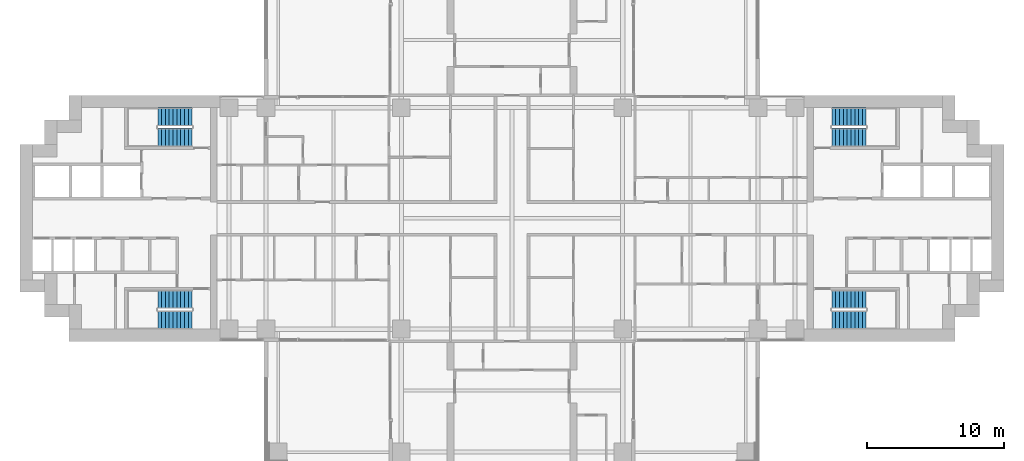
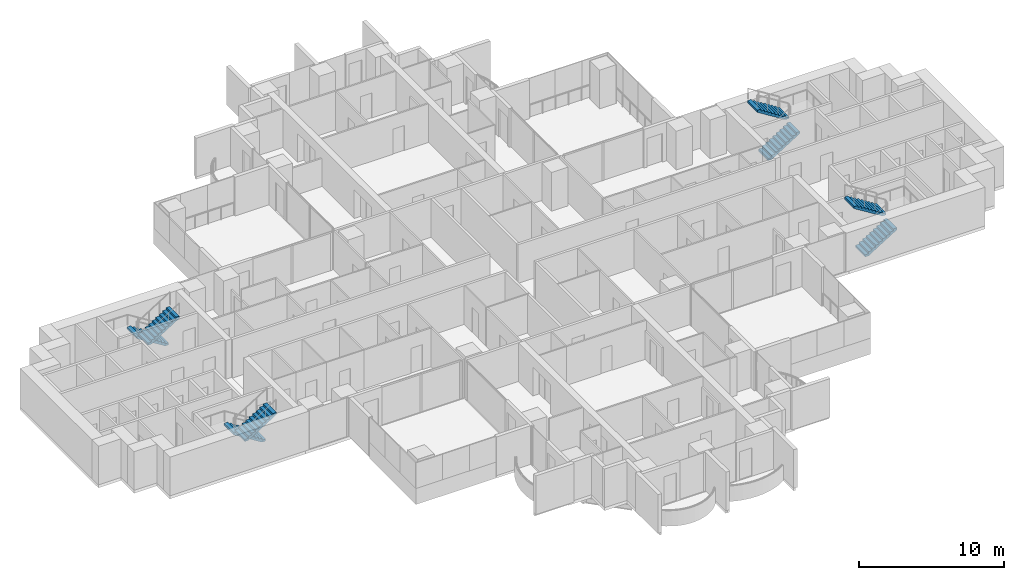
# One storey, part 17 of 21: 8 stair flights, 4 elements without a shape of their own.
"""IFC4 building model written with IfcOpenShell, lengths in metres."""

from ifc_helpers import new_model, si_unit, direction, frame, origin, place, context, subcontext, project, spatial, polyline, outline, extrude, material, type_object, element, aggregate, save


model = new_model("IFC4")

# Units and contexts
model_context = context("Model", 3, precision=1e-05, world=origin(), true_north=direction((0.0, 1.0)))
body_context = subcontext(model_context, "Body", "Model", "MODEL_VIEW")
ifc_project = project(units=[si_unit("LENGTHUNIT", "METRE"), si_unit("AREAUNIT", "SQUARE_METRE"), si_unit("VOLUMEUNIT", "CUBIC_METRE"), si_unit("PLANEANGLEUNIT", "RADIAN"), si_unit("MASSUNIT", "GRAM", prefix="KILO")], contexts=[model_context])

# Site, building, storey
site_placement = place(None, origin())
site = spatial("IfcSite", under=ifc_project, at=site_placement, CompositionType="ELEMENT")
building_placement = place(site_placement, origin())
building = spatial("IfcBuilding", under=site, at=building_placement, Name="Perihelion Cross Residences", CompositionType="ELEMENT")
storey_placement = place(building_placement, frame((0.0, 0.0, 43.5)))
storey = spatial("IfcBuildingStorey", under=building, at=storey_placement, Name="L07", CompositionType="ELEMENT", Elevation=43.5)

# Stair, stair flights
ifc_material_1 = material(Name="Concrete C40/50", Category="concrete")
stair_type = type_object("IfcStairType", Name="Exit stair, half-turn", PredefinedType="HALF_TURN_STAIR", material=ifc_material_1)
stair_1_placement = place(storey_placement, origin())
stair_1 = element("IfcStair", 1, at=stair_1_placement, inside=storey, type_object=stair_type, Name="L07 East core exit stair 1", PredefinedType="HALF_TURN_STAIR")
ifc_material_2 = material(Name="Concrete C40/50", Category="concrete")
stair_flight_type = type_object("IfcStairFlightType", Name="Exit stair flight", PredefinedType="STRAIGHT", material=ifc_material_2)
stair_flight_1_placement = place(storey_placement, frame((23.39990234375, 5.925048828125, 0.0), z_axis=(0.0, 0.0, 1.0), x_axis=(1.0, 0.0, 0.0)))
stair_flight_1 = element("IfcStairFlight", 2, at=stair_flight_1_placement, type_object=stair_flight_type, Name="ST-E1 flight 1", NumberOfRisers=10, NumberOfTreads=9, PredefinedType="STRAIGHT", RiserHeight=0.175, TreadLength=0.28, context=body_context, shape_type="SweptSolid", body=[
    extrude(outline(polyline([(0.0, 0.0), (0.0, 0.175048828125), (0.280029296875, 0.175048828125), (0.280029296875, 0.35009765625), (0.56005859375, 0.35009765625), (0.56005859375, 0.52490234375), (0.840087890625, 0.52490234375), (0.840087890625, 0.699951171875), (1.1201171875, 0.699951171875), (1.1201171875, 0.875), (1.39990234375, 0.875), (1.39990234375, 1.050048828125), (1.679931640625, 1.050048828125), (1.679931640625, 1.22509765625), (1.9599609375, 1.22509765625), (1.9599609375, 1.39990234375), (2.239990234375, 1.39990234375), (2.239990234375, 1.574951171875), (2.52001953125, 1.574951171875), (2.52001953125, 1.75), (2.52001953125, 1.398193359375), (0.28271484375, 0.0), (0.0, 0.0)])), frame((0.0, 0.675048828125, 0.0), z_axis=(0.0, -1.0, 0.0), x_axis=(1.0, 0.0, 0.0)), (0.0, 0.0, 1.0), 1.35009765625),
])
stair_flight_2_placement = place(storey_placement, frame((25.919921875, 7.425048828125, 1.75), z_axis=(0.0, 0.0, 1.0), x_axis=(-1.0, 0.0, 0.0)))
stair_flight_2 = element("IfcStairFlight", 3, at=stair_flight_2_placement, type_object=stair_flight_type, Name="ST-E1 flight 2", NumberOfRisers=10, NumberOfTreads=9, PredefinedType="STRAIGHT", RiserHeight=0.175, TreadLength=0.28, context=body_context, shape_type="SweptSolid", body=[
    extrude(outline(polyline([(0.0, 0.0), (0.0, 0.175048828125), (0.280029296875, 0.175048828125), (0.280029296875, 0.35009765625), (0.56005859375, 0.35009765625), (0.56005859375, 0.52490234375), (0.840087890625, 0.52490234375), (0.840087890625, 0.699951171875), (1.1201171875, 0.699951171875), (1.1201171875, 0.875), (1.39990234375, 0.875), (1.39990234375, 1.050048828125), (1.679931640625, 1.050048828125), (1.679931640625, 1.22509765625), (1.9599609375, 1.22509765625), (1.9599609375, 1.39990234375), (2.239990234375, 1.39990234375), (2.239990234375, 1.574951171875), (2.52001953125, 1.574951171875), (2.52001953125, 1.75), (2.52001953125, 1.398193359375), (0.28271484375, 0.0), (0.0, 0.0)])), frame((0.0, 0.675048828125, 0.0), z_axis=(0.0, -1.0, 0.0), x_axis=(1.0, 0.0, 0.0)), (0.0, 0.0, 1.0), 1.35009765625),
])
aggregate(stair_1, [stair_flight_1, stair_flight_2])

stair_2_placement = place(storey_placement, origin())
stair_2 = element("IfcStair", 4, at=stair_2_placement, inside=storey, type_object=stair_type, Name="L07 East core exit stair 2", PredefinedType="HALF_TURN_STAIR")
stair_flight_3_placement = place(storey_placement, frame((23.39990234375, -7.425048828125, 0.0), z_axis=(0.0, 0.0, 1.0), x_axis=(1.0, 0.0, 0.0)))
stair_flight_3 = element("IfcStairFlight", 5, at=stair_flight_3_placement, type_object=stair_flight_type, Name="ST-E2 flight 1", NumberOfRisers=10, NumberOfTreads=9, PredefinedType="STRAIGHT", RiserHeight=0.175, TreadLength=0.28, context=body_context, shape_type="SweptSolid", body=[
    extrude(outline(polyline([(0.0, 0.0), (0.0, 0.175048828125), (0.280029296875, 0.175048828125), (0.280029296875, 0.35009765625), (0.56005859375, 0.35009765625), (0.56005859375, 0.52490234375), (0.840087890625, 0.52490234375), (0.840087890625, 0.699951171875), (1.1201171875, 0.699951171875), (1.1201171875, 0.875), (1.39990234375, 0.875), (1.39990234375, 1.050048828125), (1.679931640625, 1.050048828125), (1.679931640625, 1.22509765625), (1.9599609375, 1.22509765625), (1.9599609375, 1.39990234375), (2.239990234375, 1.39990234375), (2.239990234375, 1.574951171875), (2.52001953125, 1.574951171875), (2.52001953125, 1.75), (2.52001953125, 1.398193359375), (0.28271484375, 0.0), (0.0, 0.0)])), frame((0.0, 0.675048828125, 0.0), z_axis=(0.0, -1.0, 0.0), x_axis=(1.0, 0.0, 0.0)), (0.0, 0.0, 1.0), 1.35009765625),
])
stair_flight_4_placement = place(storey_placement, frame((25.919921875, -5.925048828125, 1.75), z_axis=(0.0, 0.0, 1.0), x_axis=(-1.0, 0.0, 0.0)))
stair_flight_4 = element("IfcStairFlight", 6, at=stair_flight_4_placement, type_object=stair_flight_type, Name="ST-E2 flight 2", NumberOfRisers=10, NumberOfTreads=9, PredefinedType="STRAIGHT", RiserHeight=0.175, TreadLength=0.28, context=body_context, shape_type="SweptSolid", body=[
    extrude(outline(polyline([(0.0, 0.0), (0.0, 0.175048828125), (0.280029296875, 0.175048828125), (0.280029296875, 0.35009765625), (0.56005859375, 0.35009765625), (0.56005859375, 0.52490234375), (0.840087890625, 0.52490234375), (0.840087890625, 0.699951171875), (1.1201171875, 0.699951171875), (1.1201171875, 0.875), (1.39990234375, 0.875), (1.39990234375, 1.050048828125), (1.679931640625, 1.050048828125), (1.679931640625, 1.22509765625), (1.9599609375, 1.22509765625), (1.9599609375, 1.39990234375), (2.239990234375, 1.39990234375), (2.239990234375, 1.574951171875), (2.52001953125, 1.574951171875), (2.52001953125, 1.75), (2.52001953125, 1.398193359375), (0.28271484375, 0.0), (0.0, 0.0)])), frame((0.0, 0.675048828125, 0.0), z_axis=(0.0, -1.0, 0.0), x_axis=(1.0, 0.0, 0.0)), (0.0, 0.0, 1.0), 1.35009765625),
])
aggregate(stair_2, [stair_flight_3, stair_flight_4])

stair_3_placement = place(storey_placement, origin())
stair_3 = element("IfcStair", 7, at=stair_3_placement, inside=storey, type_object=stair_type, Name="L07 West core exit stair 1", PredefinedType="HALF_TURN_STAIR")
stair_flight_5_placement = place(storey_placement, frame((-23.39990234375, 7.425048828125, 0.0), z_axis=(0.0, 0.0, 1.0), x_axis=(-1.0, 0.0, 0.0)))
stair_flight_5 = element("IfcStairFlight", 8, at=stair_flight_5_placement, type_object=stair_flight_type, Name="ST-W1 flight 1", NumberOfRisers=10, NumberOfTreads=9, PredefinedType="STRAIGHT", RiserHeight=0.175, TreadLength=0.28, context=body_context, shape_type="SweptSolid", body=[
    extrude(outline(polyline([(0.0, 0.0), (0.0, 0.175048828125), (0.280029296875, 0.175048828125), (0.280029296875, 0.35009765625), (0.56005859375, 0.35009765625), (0.56005859375, 0.52490234375), (0.840087890625, 0.52490234375), (0.840087890625, 0.699951171875), (1.1201171875, 0.699951171875), (1.1201171875, 0.875), (1.39990234375, 0.875), (1.39990234375, 1.050048828125), (1.679931640625, 1.050048828125), (1.679931640625, 1.22509765625), (1.9599609375, 1.22509765625), (1.9599609375, 1.39990234375), (2.239990234375, 1.39990234375), (2.239990234375, 1.574951171875), (2.52001953125, 1.574951171875), (2.52001953125, 1.75), (2.52001953125, 1.398193359375), (0.28271484375, 0.0), (0.0, 0.0)])), frame((0.0, 0.675048828125, 0.0), z_axis=(0.0, -1.0, 0.0), x_axis=(1.0, 0.0, 0.0)), (0.0, 0.0, 1.0), 1.35009765625),
])
stair_flight_6_placement = place(storey_placement, frame((-25.919921875, 5.925048828125, 1.75), z_axis=(0.0, 0.0, 1.0), x_axis=(1.0, 0.0, 0.0)))
stair_flight_6 = element("IfcStairFlight", 9, at=stair_flight_6_placement, type_object=stair_flight_type, Name="ST-W1 flight 2", NumberOfRisers=10, NumberOfTreads=9, PredefinedType="STRAIGHT", RiserHeight=0.175, TreadLength=0.28, context=body_context, shape_type="SweptSolid", body=[
    extrude(outline(polyline([(0.0, 0.0), (0.0, 0.175048828125), (0.280029296875, 0.175048828125), (0.280029296875, 0.35009765625), (0.56005859375, 0.35009765625), (0.56005859375, 0.52490234375), (0.840087890625, 0.52490234375), (0.840087890625, 0.699951171875), (1.1201171875, 0.699951171875), (1.1201171875, 0.875), (1.39990234375, 0.875), (1.39990234375, 1.050048828125), (1.679931640625, 1.050048828125), (1.679931640625, 1.22509765625), (1.9599609375, 1.22509765625), (1.9599609375, 1.39990234375), (2.239990234375, 1.39990234375), (2.239990234375, 1.574951171875), (2.52001953125, 1.574951171875), (2.52001953125, 1.75), (2.52001953125, 1.398193359375), (0.28271484375, 0.0), (0.0, 0.0)])), frame((0.0, 0.675048828125, 0.0), z_axis=(0.0, -1.0, 0.0), x_axis=(1.0, 0.0, 0.0)), (0.0, 0.0, 1.0), 1.35009765625),
])
aggregate(stair_3, [stair_flight_5, stair_flight_6])

stair_4_placement = place(storey_placement, origin())
stair_4 = element("IfcStair", 10, at=stair_4_placement, inside=storey, type_object=stair_type, Name="L07 West core exit stair 2", PredefinedType="HALF_TURN_STAIR")
stair_flight_7_placement = place(storey_placement, frame((-23.39990234375, -5.925048828125, 0.0), z_axis=(0.0, 0.0, 1.0), x_axis=(-1.0, 0.0, 0.0)))
stair_flight_7 = element("IfcStairFlight", 11, at=stair_flight_7_placement, type_object=stair_flight_type, Name="ST-W2 flight 1", NumberOfRisers=10, NumberOfTreads=9, PredefinedType="STRAIGHT", RiserHeight=0.175, TreadLength=0.28, context=body_context, shape_type="SweptSolid", body=[
    extrude(outline(polyline([(0.0, 0.0), (0.0, 0.175048828125), (0.280029296875, 0.175048828125), (0.280029296875, 0.35009765625), (0.56005859375, 0.35009765625), (0.56005859375, 0.52490234375), (0.840087890625, 0.52490234375), (0.840087890625, 0.699951171875), (1.1201171875, 0.699951171875), (1.1201171875, 0.875), (1.39990234375, 0.875), (1.39990234375, 1.050048828125), (1.679931640625, 1.050048828125), (1.679931640625, 1.22509765625), (1.9599609375, 1.22509765625), (1.9599609375, 1.39990234375), (2.239990234375, 1.39990234375), (2.239990234375, 1.574951171875), (2.52001953125, 1.574951171875), (2.52001953125, 1.75), (2.52001953125, 1.398193359375), (0.28271484375, 0.0), (0.0, 0.0)])), frame((0.0, 0.675048828125, 0.0), z_axis=(0.0, -1.0, 0.0), x_axis=(1.0, 0.0, 0.0)), (0.0, 0.0, 1.0), 1.35009765625),
])
stair_flight_8_placement = place(storey_placement, frame((-25.919921875, -7.425048828125, 1.75), z_axis=(0.0, 0.0, 1.0), x_axis=(1.0, 0.0, 0.0)))
stair_flight_8 = element("IfcStairFlight", 12, at=stair_flight_8_placement, type_object=stair_flight_type, Name="ST-W2 flight 2", NumberOfRisers=10, NumberOfTreads=9, PredefinedType="STRAIGHT", RiserHeight=0.175, TreadLength=0.28, context=body_context, shape_type="SweptSolid", body=[
    extrude(outline(polyline([(0.0, 0.0), (0.0, 0.175048828125), (0.280029296875, 0.175048828125), (0.280029296875, 0.35009765625), (0.56005859375, 0.35009765625), (0.56005859375, 0.52490234375), (0.840087890625, 0.52490234375), (0.840087890625, 0.699951171875), (1.1201171875, 0.699951171875), (1.1201171875, 0.875), (1.39990234375, 0.875), (1.39990234375, 1.050048828125), (1.679931640625, 1.050048828125), (1.679931640625, 1.22509765625), (1.9599609375, 1.22509765625), (1.9599609375, 1.39990234375), (2.239990234375, 1.39990234375), (2.239990234375, 1.574951171875), (2.52001953125, 1.574951171875), (2.52001953125, 1.75), (2.52001953125, 1.398193359375), (0.28271484375, 0.0), (0.0, 0.0)])), frame((0.0, 0.675048828125, 0.0), z_axis=(0.0, -1.0, 0.0), x_axis=(1.0, 0.0, 0.0)), (0.0, 0.0, 1.0), 1.35009765625),
])
aggregate(stair_4, [stair_flight_7, stair_flight_8])

save(model, "model.ifc")
